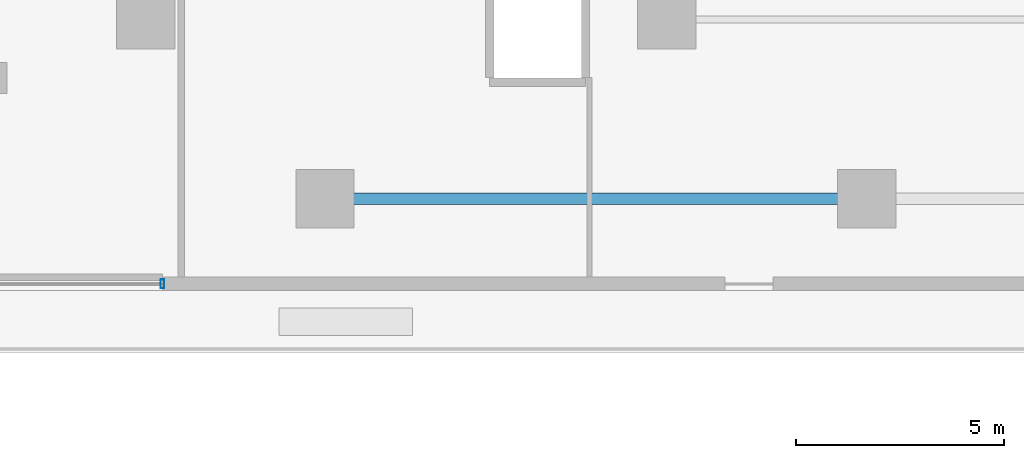
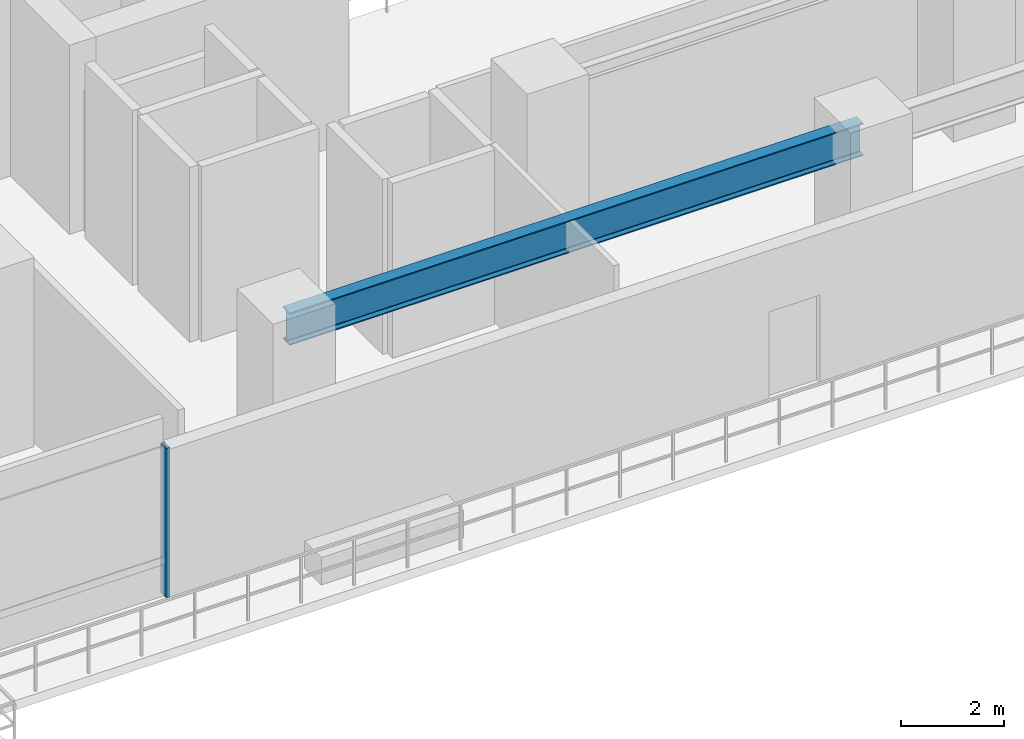
# One storey, part 9 of 25: 1 beam, 1 member, 1 element without a shape of its own.
"""IFC4 building model written with IfcOpenShell, lengths in metres."""

import ifcopenshell
import ifcopenshell.guid

model = None  # the IFC model being written
_history = None  # IfcOwnerHistory: only IFC2X3 demands one
_inside = {}  # id of a spatial element -> (the spatial element, [elements in it])
_under = {}  # id of a project, library or spatial element -> (it, [spatial elements below it])
_declared = {}  # id of a project -> (the project, [libraries it declares])
_typed = {}  # id of a type object -> (the type object, [elements of that type])
_made_of = {}  # id of a material, layer set ... -> (it, [elements and type objects made of it])


def new_model(schema):
    """Start an empty IFC model of exactly this schema.

    Asked for "IFC4X3", IfcOpenShell would pick the latest addendum, in which some entities
    have other attributes; the version numbers below select the first issue.
    IFC2X3 requires an IfcOwnerHistory on every rooted entity: one is made here for all.
    """
    global model, _history
    if schema == "IFC4X3":
        model = ifcopenshell.file(schema_version=(4, 3, 0, 0))
    else:
        model = ifcopenshell.file(schema=schema)
    _inside.clear()
    _under.clear()
    _declared.clear()
    _typed.clear()
    _made_of.clear()
    _history = None
    if model.schema == "IFC2X3":
        org = make("IfcOrganization", Name="unknown")
        user = make(
            "IfcPersonAndOrganization",
            ThePerson=make("IfcPerson", FamilyName="unknown"),
            TheOrganization=org,
        )
        app = make(
            "IfcApplication",
            ApplicationDeveloper=org,
            Version="unknown",
            ApplicationFullName="unknown",
            ApplicationIdentifier="unknown",
        )
        _history = make(
            "IfcOwnerHistory",
            OwningUser=user,
            OwningApplication=app,
            ChangeAction="ADDED",
            CreationDate=0,
        )
    return model


def make(cls, **values):
    """One entity of the class cls with the attributes given. An attribute that is None is left unset."""
    return model.create_entity(
        cls, **{name: value for name, value in values.items() if value is not None}
    )


def rooted(cls, **values):
    """An entity with a GlobalId (a new one), such as an element, a storey or a relation."""
    return make(cls, GlobalId=ifcopenshell.guid.new(), OwnerHistory=_history, **values)


def si_unit(unit_type, name, prefix=None):
    """IfcSIUnit, for example si_unit("LENGTHUNIT", "METRE", prefix="MILLI")."""
    return make("IfcSIUnit", UnitType=unit_type, Prefix=prefix, Name=name)


def assignment(units):
    """IfcUnitAssignment: the units of a project."""
    return None if units is None else make("IfcUnitAssignment", Units=units)


def point(xyz):
    """IfcCartesianPoint."""
    return None if xyz is None else make("IfcCartesianPoint", Coordinates=xyz)


def direction(xyz):
    """IfcDirection."""
    return None if xyz is None else make("IfcDirection", DirectionRatios=xyz)


def frame(location, z_axis=None, x_axis=None):
    """IfcAxis2Placement3D, a coordinate frame: its origin and axes. An axis left out is left unset."""
    return make(
        "IfcAxis2Placement3D",
        Location=point(location),
        Axis=direction(z_axis),
        RefDirection=direction(x_axis),
    )


def frame_2d(location, x_axis=None):
    """IfcAxis2Placement2D, a coordinate frame in the plane: its origin and x axis."""
    return make(
        "IfcAxis2Placement2D", Location=point(location), RefDirection=direction(x_axis)
    )


def origin():
    """The frame at (0, 0, 0) with its axes left unset."""
    return frame((0.0, 0.0, 0.0))


def origin_2d():
    """The frame at (0, 0) in the plane with its x axis left unset."""
    return frame_2d((0.0, 0.0))


def place(relative_to, where):
    """IfcLocalPlacement: puts the frame where relative to a parent placement (None: the world)."""
    return make(
        "IfcLocalPlacement", PlacementRelTo=relative_to, RelativePlacement=where
    )


def context(
    kind, dimensions, precision=None, world=None, true_north=None, identifier=None
):
    """IfcGeometricRepresentationContext, for example the 3D "Model" context."""
    return make(
        "IfcGeometricRepresentationContext",
        ContextIdentifier=identifier,
        ContextType=kind,
        CoordinateSpaceDimension=dimensions,
        Precision=precision,
        WorldCoordinateSystem=world,
        TrueNorth=true_north,
    )


def subcontext(parent, identifier, kind, view, scale=None):
    """IfcGeometricRepresentationSubContext, for example "Body" below "Model"."""
    return make(
        "IfcGeometricRepresentationSubContext",
        ContextIdentifier=identifier,
        ContextType=kind,
        ParentContext=parent,
        TargetScale=scale,
        TargetView=view,
    )


def project(units=None, contexts=None):
    """IfcProject with its units and contexts."""
    return rooted(
        "IfcProject",
        Name="project",
        RepresentationContexts=contexts,
        UnitsInContext=assignment(units),
    )


def spatial(cls, under=None, at=None, **own):
    """A site, building, storey or space (cls), placed at a placement, below another one or the project."""
    s = rooted(cls, ObjectPlacement=at, **own)
    if under is not None:
        _under.setdefault(under.id(), (under, []))[1].append(s)
    return s


def profile(cls, at=None, kind="AREA", **sizes):
    """A parametric profile (cls). Its sizes go by their IFC names, for example OverallWidth=200.0."""
    return make(cls, ProfileType=kind, Position=at, **sizes)


def hollow_rectangle(**sizes):
    """IfcRectangleHollowProfileDef."""
    return profile("IfcRectangleHollowProfileDef", **sizes)


def i_section(**sizes):
    """IfcIShapeProfileDef."""
    return profile("IfcIShapeProfileDef", **sizes)


def extrude(swept, where, along, depth):
    """IfcExtrudedAreaSolid: the profile swept, set in the frame where, extruded along a direction by depth."""
    return make(
        "IfcExtrudedAreaSolid",
        SweptArea=swept,
        Position=where,
        ExtrudedDirection=direction(along),
        Depth=depth,
    )


def shape(context_of_items, identifier, shape_type, items):
    """IfcShapeRepresentation: the items that make up one representation, for example the "Body"."""
    return make(
        "IfcShapeRepresentation",
        ContextOfItems=context_of_items,
        RepresentationIdentifier=identifier,
        RepresentationType=shape_type,
        Items=items,
    )


def material(Name=None, Category=None):
    """IfcMaterial."""
    return make("IfcMaterial", Name=Name, Category=Category)


def material_profile(
    of_material, cross_section, Name=None, Category=None, Priority=None
):
    """IfcMaterialProfile: a cross section and its material."""
    return make(
        "IfcMaterialProfile",
        Name=Name,
        Material=of_material,
        Profile=cross_section,
        Priority=Priority,
        Category=Category,
    )


def profile_set(profiles, Name=None, composite=None):
    """IfcMaterialProfileSet."""
    return make(
        "IfcMaterialProfileSet",
        Name=Name,
        MaterialProfiles=profiles,
        CompositeProfile=composite,
    )


def made_of(thing, what):
    """Note that an element or type object is made of a material, layer set ...; save() writes the relation."""
    if what is not None:
        _made_of.setdefault(what.id(), (what, []))[1].append(thing)
    return thing


def type_object(cls, material=None, **own):
    """A type object (cls), such as IfcWallType, which elements share."""
    return made_of(rooted(cls, **own), material)


def element(
    cls,
    number,
    at=None,
    inside=None,
    cuts=None,
    type_object=None,
    material=None,
    context=None,
    identifier="Body",
    shape_type=None,
    held_by="IfcProductDefinitionShape",
    body=None,
    shapes=None,
    **own,
):
    """One element of the class cls, such as IfcWall. Its Tag is "e" and its number.

    at: its placement. inside: the storey or other place that contains it. cuts: it is an
    opening in that element (IfcRelVoidsElement). A single representation is given by context,
    identifier, shape_type and body (its items); several are given by shapes. held_by: the class
    of the entity that holds the representations. save() writes the other relations.
    """
    e = rooted(cls, Tag="e%d" % number, ObjectPlacement=at, **own)
    if body is not None:
        shapes = [shape(context, identifier, shape_type, body)]
    if shapes is not None:
        e.Representation = make(held_by, Representations=shapes)
    if inside is not None:
        _inside.setdefault(inside.id(), (inside, []))[1].append(e)
    if cuts is not None:
        rooted(
            "IfcRelVoidsElement", RelatingBuildingElement=cuts, RelatedOpeningElement=e
        )
    if type_object is not None:
        _typed.setdefault(type_object.id(), (type_object, []))[1].append(e)
    return made_of(e, material)


def aggregate(whole, parts):
    """IfcRelAggregates: a whole, such as a stair, and the parts it consists of."""
    return rooted("IfcRelAggregates", RelatingObject=whole, RelatedObjects=parts)


def save(model, path):
    """Write the relations noted so far, then the file.

    IfcRelAggregates (storeys below a building ...), IfcRelContainedInSpatialStructure (elements
    in a storey), IfcRelDefinesByType, IfcRelAssociatesMaterial and IfcRelDeclares: one each for
    every whole, place, type object, material and project.
    """
    for whole, parts in _under.values():
        aggregate(whole, parts)
    for where, things in _inside.values():
        rooted(
            "IfcRelContainedInSpatialStructure",
            RelatedElements=things,
            RelatingStructure=where,
        )
    for kind, things in _typed.values():
        rooted("IfcRelDefinesByType", RelatedObjects=things, RelatingType=kind)
    for what, things in _made_of.values():
        rooted("IfcRelAssociatesMaterial", RelatedObjects=things, RelatingMaterial=what)
    for by, libraries in _declared.values():
        rooted("IfcRelDeclares", RelatingContext=by, RelatedDefinitions=libraries)
    model.write(path)


model = new_model("IFC4")

# Units and contexts
model_context = context("Model", 3, precision=1e-05, world=origin(), true_north=direction((0.0, 1.0)))
body_context = subcontext(model_context, "Body", "Model", "MODEL_VIEW")
ifc_project = project(units=[si_unit("LENGTHUNIT", "METRE"), si_unit("AREAUNIT", "SQUARE_METRE"), si_unit("VOLUMEUNIT", "CUBIC_METRE"), si_unit("PLANEANGLEUNIT", "RADIAN"), si_unit("MASSUNIT", "GRAM", prefix="KILO")], contexts=[model_context])

# Site, building, storey
site_placement = place(None, origin())
site = spatial("IfcSite", under=ifc_project, at=site_placement, CompositionType="ELEMENT")
building_placement = place(site_placement, origin())
building = spatial("IfcBuilding", under=site, at=building_placement, Name="Thornwick Lancets Civic Towers", CompositionType="ELEMENT")
storey_placement = place(building_placement, frame((0.0, 0.0, 9.60009765625)))
storey = spatial("IfcBuildingStorey", under=building, at=storey_placement, Name="L02", CompositionType="ELEMENT", Elevation=9.60009765625)

# Beam
ifc_material_1 = material(Name="Steel S355JR", Category="steel")
ifc_material_profile_1 = material_profile(ifc_material_1, i_section(OverallWidth=0.26806640625, OverallDepth=0.769775390625, WebThickness=0.015625, FlangeThickness=0.025390625, FilletRadius=0.0166015625, at=origin_2d()), Name="UKB 762x267x197")
ifc_profile_set_1 = profile_set([ifc_material_profile_1], Name="Steel S355JR")
beam_type = type_object("IfcBeamType", Name="BM_GIRD_762_197", PredefinedType="BEAM", material=ifc_profile_set_1)
beam_placement = place(storey_placement, frame((88.419921875, 9.699951171875, 3.794921875), z_axis=(-1.0, 0.0, 0.0), x_axis=(0.0, -1.0, 0.0)))
element("IfcBeam", 1, at=beam_placement, inside=storey, type_object=beam_type, Name="BM-SPINE-L02-B-10-11", PredefinedType="BEAM", context=body_context, shape_type="SweptSolid", body=[
    extrude(i_section(OverallWidth=0.26806640625, OverallDepth=0.769775390625, WebThickness=0.015625, FlangeThickness=0.025390625, FilletRadius=0.0166015625, at=origin_2d()), origin(), (0.0, 0.0, 1.0), 12.919921875),
])

# Curtain wall, member
ifc_material_2 = material(Name="Terracotta-trimmed cascading podium ribbon curtain wall", Category="masonry")
curtain_wall_type = type_object("IfcCurtainWallType", Name="CW_SYS_02", PredefinedType="NOTDEFINED", material=ifc_material_2)
curtain_wall_placement = place(storey_placement, origin())
curtain_wall = element("IfcCurtainWall", 2, at=curtain_wall_placement, inside=storey, type_object=curtain_wall_type, Name="L02 Curtain Wall CW-L02-POD-SC", PredefinedType="NOTDEFINED")
ifc_material_3 = material(Name="Thermally broken bronze aluminium S355", Category="steel")
ifc_material_profile_2 = material_profile(ifc_material_3, hollow_rectangle(XDim=0.090087890625, YDim=0.219970703125, WallThickness=0.00634765625, at=origin_2d()), Name="RHS 220x90x6.3")
ifc_profile_set_2 = profile_set([ifc_material_profile_2], Name="Thermally broken bronze aluminium S355")
member_type = type_object("IfcMemberType", Name="CW_MUL_220", PredefinedType="MULLION", material=ifc_profile_set_2)
member_placement = place(storey_placement, frame((71.60009765625, 7.659912109375, 0.0), z_axis=(0.0, 0.0, 1.0), x_axis=(1.0, 0.0, 0.0)))
member = element("IfcMember", 3, at=member_placement, type_object=member_type, Name="CW-L02-POD-SC Mullion 2", PredefinedType="MULLION", context=body_context, shape_type="SweptSolid", body=[
    extrude(hollow_rectangle(XDim=0.090087890625, YDim=0.219970703125, WallThickness=0.00634765625, at=origin_2d()), origin(), (0.0, 0.0, 1.0), 3.559814453125),
])
aggregate(curtain_wall, [member])

save(model, "model.ifc")
